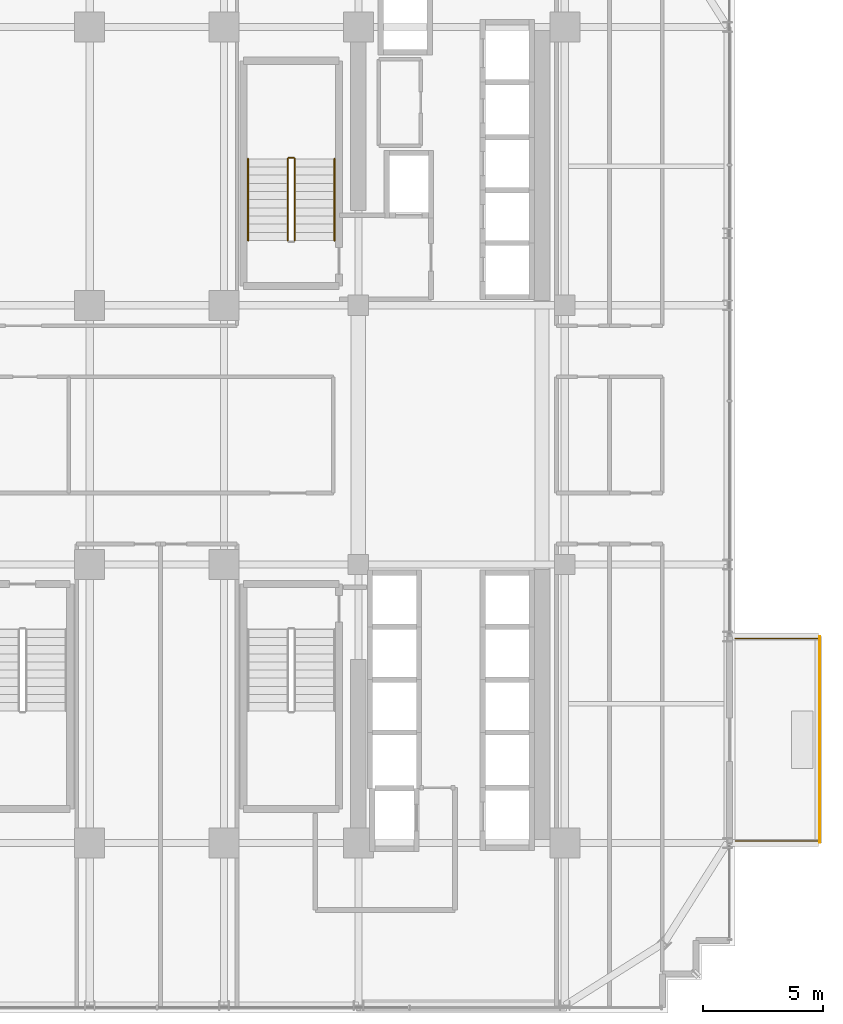
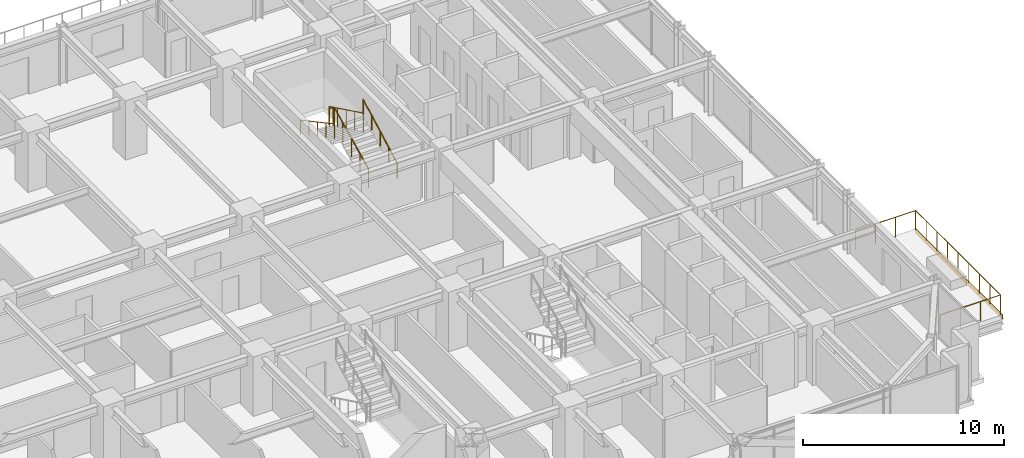
# One storey, part 39 of 41: 6 railings, 1 covering.
"""IFC4 building model written with IfcOpenShell, lengths in metres."""

import ifcopenshell
import ifcopenshell.guid

model = None  # the IFC model being written
_history = None  # IfcOwnerHistory: only IFC2X3 demands one
_inside = {}  # id of a spatial element -> (the spatial element, [elements in it])
_under = {}  # id of a project, library or spatial element -> (it, [spatial elements below it])
_declared = {}  # id of a project -> (the project, [libraries it declares])
_typed = {}  # id of a type object -> (the type object, [elements of that type])
_made_of = {}  # id of a material, layer set ... -> (it, [elements and type objects made of it])


def new_model(schema):
    """Start an empty IFC model of exactly this schema.

    Asked for "IFC4X3", IfcOpenShell would pick the latest addendum, in which some entities
    have other attributes; the version numbers below select the first issue.
    IFC2X3 requires an IfcOwnerHistory on every rooted entity: one is made here for all.
    """
    global model, _history
    if schema == "IFC4X3":
        model = ifcopenshell.file(schema_version=(4, 3, 0, 0))
    else:
        model = ifcopenshell.file(schema=schema)
    _inside.clear()
    _under.clear()
    _declared.clear()
    _typed.clear()
    _made_of.clear()
    _history = None
    if model.schema == "IFC2X3":
        org = make("IfcOrganization", Name="unknown")
        user = make(
            "IfcPersonAndOrganization",
            ThePerson=make("IfcPerson", FamilyName="unknown"),
            TheOrganization=org,
        )
        app = make(
            "IfcApplication",
            ApplicationDeveloper=org,
            Version="unknown",
            ApplicationFullName="unknown",
            ApplicationIdentifier="unknown",
        )
        _history = make(
            "IfcOwnerHistory",
            OwningUser=user,
            OwningApplication=app,
            ChangeAction="ADDED",
            CreationDate=0,
        )
    return model


def make(cls, **values):
    """One entity of the class cls with the attributes given. An attribute that is None is left unset."""
    return model.create_entity(
        cls, **{name: value for name, value in values.items() if value is not None}
    )


def rooted(cls, **values):
    """An entity with a GlobalId (a new one), such as an element, a storey or a relation."""
    return make(cls, GlobalId=ifcopenshell.guid.new(), OwnerHistory=_history, **values)


def si_unit(unit_type, name, prefix=None):
    """IfcSIUnit, for example si_unit("LENGTHUNIT", "METRE", prefix="MILLI")."""
    return make("IfcSIUnit", UnitType=unit_type, Prefix=prefix, Name=name)


def assignment(units):
    """IfcUnitAssignment: the units of a project."""
    return None if units is None else make("IfcUnitAssignment", Units=units)


def point(xyz):
    """IfcCartesianPoint."""
    return None if xyz is None else make("IfcCartesianPoint", Coordinates=xyz)


def direction(xyz):
    """IfcDirection."""
    return None if xyz is None else make("IfcDirection", DirectionRatios=xyz)


def frame(location, z_axis=None, x_axis=None):
    """IfcAxis2Placement3D, a coordinate frame: its origin and axes. An axis left out is left unset."""
    return make(
        "IfcAxis2Placement3D",
        Location=point(location),
        Axis=direction(z_axis),
        RefDirection=direction(x_axis),
    )


def frame_2d(location, x_axis=None):
    """IfcAxis2Placement2D, a coordinate frame in the plane: its origin and x axis."""
    return make(
        "IfcAxis2Placement2D", Location=point(location), RefDirection=direction(x_axis)
    )


def origin():
    """The frame at (0, 0, 0) with its axes left unset."""
    return frame((0.0, 0.0, 0.0))


def origin_2d():
    """The frame at (0, 0) in the plane with its x axis left unset."""
    return frame_2d((0.0, 0.0))


def place(relative_to, where):
    """IfcLocalPlacement: puts the frame where relative to a parent placement (None: the world)."""
    return make(
        "IfcLocalPlacement", PlacementRelTo=relative_to, RelativePlacement=where
    )


def context(
    kind, dimensions, precision=None, world=None, true_north=None, identifier=None
):
    """IfcGeometricRepresentationContext, for example the 3D "Model" context."""
    return make(
        "IfcGeometricRepresentationContext",
        ContextIdentifier=identifier,
        ContextType=kind,
        CoordinateSpaceDimension=dimensions,
        Precision=precision,
        WorldCoordinateSystem=world,
        TrueNorth=true_north,
    )


def subcontext(parent, identifier, kind, view, scale=None):
    """IfcGeometricRepresentationSubContext, for example "Body" below "Model"."""
    return make(
        "IfcGeometricRepresentationSubContext",
        ContextIdentifier=identifier,
        ContextType=kind,
        ParentContext=parent,
        TargetScale=scale,
        TargetView=view,
    )


def project(units=None, contexts=None):
    """IfcProject with its units and contexts."""
    return rooted(
        "IfcProject",
        Name="project",
        RepresentationContexts=contexts,
        UnitsInContext=assignment(units),
    )


def spatial(cls, under=None, at=None, **own):
    """A site, building, storey or space (cls), placed at a placement, below another one or the project."""
    s = rooted(cls, ObjectPlacement=at, **own)
    if under is not None:
        _under.setdefault(under.id(), (under, []))[1].append(s)
    return s


def profile(cls, at=None, kind="AREA", **sizes):
    """A parametric profile (cls). Its sizes go by their IFC names, for example OverallWidth=200.0."""
    return make(cls, ProfileType=kind, Position=at, **sizes)


def rectangle(**sizes):
    """IfcRectangleProfileDef."""
    return profile("IfcRectangleProfileDef", **sizes)


def circle(**sizes):
    """IfcCircleProfileDef."""
    return profile("IfcCircleProfileDef", **sizes)


def extrude(swept, where, along, depth):
    """IfcExtrudedAreaSolid: the profile swept, set in the frame where, extruded along a direction by depth."""
    return make(
        "IfcExtrudedAreaSolid",
        SweptArea=swept,
        Position=where,
        ExtrudedDirection=direction(along),
        Depth=depth,
    )


def shape(context_of_items, identifier, shape_type, items):
    """IfcShapeRepresentation: the items that make up one representation, for example the "Body"."""
    return make(
        "IfcShapeRepresentation",
        ContextOfItems=context_of_items,
        RepresentationIdentifier=identifier,
        RepresentationType=shape_type,
        Items=items,
    )


def source(mapping_origin, context_of_items, identifier, shape_type, items):
    """IfcRepresentationMap: a shape defined once, which mapped items show again and again."""
    return make(
        "IfcRepresentationMap",
        MappingOrigin=mapping_origin,
        MappedRepresentation=shape(context_of_items, identifier, shape_type, items),
    )


def transform(
    local_origin,
    x_axis=None,
    y_axis=None,
    z_axis=None,
    scale=None,
    scale2=None,
    scale3=None,
    uniform=True,
):
    """IfcCartesianTransformationOperator3D, or its non-uniform kind. x_axis, y_axis, z_axis: its Axis1, 2, 3."""
    if uniform:
        return make(
            "IfcCartesianTransformationOperator3D",
            Axis1=direction(x_axis),
            Axis2=direction(y_axis),
            LocalOrigin=point(local_origin),
            Scale=scale,
            Axis3=direction(z_axis),
        )
    return make(
        "IfcCartesianTransformationOperator3DnonUniform",
        Axis1=direction(x_axis),
        Axis2=direction(y_axis),
        LocalOrigin=point(local_origin),
        Scale=scale,
        Axis3=direction(z_axis),
        Scale2=scale2,
        Scale3=scale3,
    )


def mapped(mapping_source, mapping_target):
    """IfcMappedItem: shows the shape of a source again, moved by a transform."""
    return make(
        "IfcMappedItem", MappingSource=mapping_source, MappingTarget=mapping_target
    )


def material(Name=None, Category=None):
    """IfcMaterial."""
    return make("IfcMaterial", Name=Name, Category=Category)


def layer(
    of_material, thickness, ventilated=None, Name=None, Category=None, Priority=None
):
    """IfcMaterialLayer: one layer of a wall or slab, of a material (None: an air gap)."""
    return make(
        "IfcMaterialLayer",
        Material=of_material,
        LayerThickness=thickness,
        IsVentilated=ventilated,
        Name=Name,
        Category=Category,
        Priority=Priority,
    )


def layer_set(layers, Name=None):
    """IfcMaterialLayerSet."""
    return make("IfcMaterialLayerSet", MaterialLayers=layers, LayerSetName=Name)


def made_of(thing, what):
    """Note that an element or type object is made of a material, layer set ...; save() writes the relation."""
    if what is not None:
        _made_of.setdefault(what.id(), (what, []))[1].append(thing)
    return thing


def type_object(cls, material=None, **own):
    """A type object (cls), such as IfcWallType, which elements share."""
    return made_of(rooted(cls, **own), material)


def element(
    cls,
    number,
    at=None,
    inside=None,
    cuts=None,
    type_object=None,
    material=None,
    context=None,
    identifier="Body",
    shape_type=None,
    held_by="IfcProductDefinitionShape",
    body=None,
    shapes=None,
    **own,
):
    """One element of the class cls, such as IfcWall. Its Tag is "e" and its number.

    at: its placement. inside: the storey or other place that contains it. cuts: it is an
    opening in that element (IfcRelVoidsElement). A single representation is given by context,
    identifier, shape_type and body (its items); several are given by shapes. held_by: the class
    of the entity that holds the representations. save() writes the other relations.
    """
    e = rooted(cls, Tag="e%d" % number, ObjectPlacement=at, **own)
    if body is not None:
        shapes = [shape(context, identifier, shape_type, body)]
    if shapes is not None:
        e.Representation = make(held_by, Representations=shapes)
    if inside is not None:
        _inside.setdefault(inside.id(), (inside, []))[1].append(e)
    if cuts is not None:
        rooted(
            "IfcRelVoidsElement", RelatingBuildingElement=cuts, RelatedOpeningElement=e
        )
    if type_object is not None:
        _typed.setdefault(type_object.id(), (type_object, []))[1].append(e)
    return made_of(e, material)


def aggregate(whole, parts):
    """IfcRelAggregates: a whole, such as a stair, and the parts it consists of."""
    return rooted("IfcRelAggregates", RelatingObject=whole, RelatedObjects=parts)


def save(model, path):
    """Write the relations noted so far, then the file.

    IfcRelAggregates (storeys below a building ...), IfcRelContainedInSpatialStructure (elements
    in a storey), IfcRelDefinesByType, IfcRelAssociatesMaterial and IfcRelDeclares: one each for
    every whole, place, type object, material and project.
    """
    for whole, parts in _under.values():
        aggregate(whole, parts)
    for where, things in _inside.values():
        rooted(
            "IfcRelContainedInSpatialStructure",
            RelatedElements=things,
            RelatingStructure=where,
        )
    for kind, things in _typed.values():
        rooted("IfcRelDefinesByType", RelatedObjects=things, RelatingType=kind)
    for what, things in _made_of.values():
        rooted("IfcRelAssociatesMaterial", RelatedObjects=things, RelatingMaterial=what)
    for by, libraries in _declared.values():
        rooted("IfcRelDeclares", RelatingContext=by, RelatedDefinitions=libraries)
    model.write(path)


model = new_model("IFC4")

# Units and contexts
model_context = context("Model", 3, precision=1e-05, world=origin(), true_north=direction((0.0, 1.0)))
body_context = subcontext(model_context, "Body", "Model", "MODEL_VIEW")
ifc_project = project(units=[si_unit("LENGTHUNIT", "METRE"), si_unit("AREAUNIT", "SQUARE_METRE"), si_unit("VOLUMEUNIT", "CUBIC_METRE"), si_unit("PLANEANGLEUNIT", "RADIAN"), si_unit("MASSUNIT", "GRAM", prefix="KILO")], contexts=[model_context])

# Site, building, storey
site_placement = place(None, origin())
site = spatial("IfcSite", under=ifc_project, at=site_placement, CompositionType="ELEMENT")
building_placement = place(site_placement, origin())
building = spatial("IfcBuilding", under=site, at=building_placement, Name="Nahalor Promenade Grand Hotel", CompositionType="ELEMENT")
storey_placement = place(building_placement, frame((0.0, 0.0, 113.85009765625)))
storey = spatial("IfcBuildingStorey", under=building, at=storey_placement, Name="L28", CompositionType="ELEMENT", Elevation=113.85009765625)

# Railings
ifc_material_1 = material(Name="Anodised Bronze Aluminium EN AW-6063 T6", Category="aluminium")
railing_type_1 = type_object("IfcRailingType", Name="Bronze Balcony Guardrail 1200 mm", PredefinedType="GUARDRAIL", material=ifc_material_1)
railing_1_placement = place(storey_placement, frame((24.10009765625, -16.919921875, 0.0)))
element("IfcRailing", 1, at=railing_1_placement, inside=storey, type_object=railing_type_1, Name="L28 Balcony Guardrail 2", PredefinedType="GUARDRAIL", context=body_context, shape_type="SweptSolid", body=[
    extrude(circle(Radius=0.024048, at=origin_2d()), frame((0.0, 0.0, 1.17578125), z_axis=(1.0, 0.0, 0.0), x_axis=(0.0, 1.0, 0.0)), (0.0, 0.0, 1.0), 3.468017578125),
    extrude(circle(Radius=0.024048, at=origin_2d()), frame((3.469970703125, 0.001953125, 1.17578125), z_axis=(0.0, 1.0, 0.0), x_axis=(-1.0, 0.0, 0.0)), (0.0, 0.0, 1.0), 8.43603515625),
    extrude(circle(Radius=0.024048, at=origin_2d()), frame((3.468017578125, 8.43994140625, 1.17578125), z_axis=(-1.0, 0.0, 0.0), x_axis=(0.0, -1.0, 0.0)), (0.0, 0.0, 1.0), 3.468017578125),
    extrude(circle(Radius=0.020996, at=origin_2d()), origin(), (0.0, 0.0, 1.0), 1.14990234375),
    extrude(circle(Radius=0.020996, at=origin_2d()), frame((1.15673828125, 0.0, 0.0)), (0.0, 0.0, 1.0), 1.14990234375),
    extrude(circle(Radius=0.020996, at=origin_2d()), frame((2.313232421875, 0.0, 0.0)), (0.0, 0.0, 1.0), 1.14990234375),
    extrude(circle(Radius=0.020996, at=origin_2d()), frame((3.469970703125, 0.0, 0.0)), (0.0, 0.0, 1.0), 1.14990234375),
    extrude(circle(Radius=0.020996, at=origin_2d()), frame((3.469970703125, 1.054931640625, 0.0)), (0.0, 0.0, 1.0), 1.14990234375),
    extrude(circle(Radius=0.020996, at=origin_2d()), frame((3.469970703125, 2.10986328125, 0.0)), (0.0, 0.0, 1.0), 1.14990234375),
    extrude(circle(Radius=0.020996, at=origin_2d()), frame((3.469970703125, 3.1650390625, 0.0)), (0.0, 0.0, 1.0), 1.14990234375),
    extrude(circle(Radius=0.020996, at=origin_2d()), frame((3.469970703125, 4.219970703125, 0.0)), (0.0, 0.0, 1.0), 1.14990234375),
    extrude(circle(Radius=0.020996, at=origin_2d()), frame((3.469970703125, 5.27490234375, 0.0)), (0.0, 0.0, 1.0), 1.14990234375),
    extrude(circle(Radius=0.020996, at=origin_2d()), frame((3.469970703125, 6.330078125, 0.0)), (0.0, 0.0, 1.0), 1.14990234375),
    extrude(circle(Radius=0.020996, at=origin_2d()), frame((3.469970703125, 7.385009765625, 0.0)), (0.0, 0.0, 1.0), 1.14990234375),
    extrude(circle(Radius=0.020996, at=origin_2d()), frame((3.469970703125, 8.43994140625, 0.0)), (0.0, 0.0, 1.0), 1.14990234375),
    extrude(circle(Radius=0.020996, at=origin_2d()), frame((2.313232421875, 8.43994140625, 0.0)), (0.0, 0.0, 1.0), 1.14990234375),
    extrude(circle(Radius=0.020996, at=origin_2d()), frame((1.15673828125, 8.43994140625, 0.0)), (0.0, 0.0, 1.0), 1.14990234375),
    extrude(circle(Radius=0.020996, at=origin_2d()), frame((0.0, 8.43994140625, 0.0)), (0.0, 0.0, 1.0), 1.14990234375),
])
ifc_material_2 = material(Name="Steel S355JR", Category="steel")
railing_type_2 = type_object("IfcRailingType", Name="Steel Stair Guardrail 1150 mm", PredefinedType="GUARDRAIL", material=ifc_material_2)
railing_2_placement = place(storey_placement, frame((5.75, 8.10009765625, 0.165771484375)))
element("IfcRailing", 2, at=railing_2_placement, inside=storey, type_object=railing_type_2, Name="L28 ST1 stair guard 1", PredefinedType="GUARDRAIL", context=body_context, shape_type="SweptSolid", body=[
    extrude(circle(Radius=0.024048, at=origin_2d()), frame((0.0, 0.0, 1.1259765625), z_axis=(0.0, 0.898696488221, 0.438571114028), x_axis=(-1.0, 0.0, 0.0)), (0.0, 0.0, 1.0), 3.783203125),
    extrude(circle(Radius=0.020996, at=origin_2d()), origin(), (0.0, 0.0, 1.0), 1.099853515625),
    extrude(circle(Radius=0.020996, at=origin_2d()), frame((0.0, 0.85009765625, 0.414794921875)), (0.0, 0.0, 1.0), 1.099853515625),
    extrude(circle(Radius=0.020996, at=origin_2d()), frame((0.0, 1.699951171875, 0.82958984375)), (0.0, 0.0, 1.0), 1.099853515625),
    extrude(circle(Radius=0.020996, at=origin_2d()), frame((0.0, 2.5498046875, 1.244384765625)), (0.0, 0.0, 1.0), 1.099853515625),
    extrude(circle(Radius=0.020996, at=origin_2d()), frame((0.0, 3.39990234375, 1.6591796875)), (0.0, 0.0, 1.0), 1.099853515625),
])
railing_3_placement = place(storey_placement, frame((5.699951171875, 11.550048828125, 1.824951171875)))
element("IfcRailing", 3, at=railing_3_placement, inside=storey, type_object=railing_type_2, Name="L28 ST1 stair guard 2", PredefinedType="GUARDRAIL", context=body_context, shape_type="SweptSolid", body=[
    extrude(circle(Radius=0.024048, at=origin_2d()), frame((0.0, 0.0, 1.1259765625), z_axis=(-1.0, 0.0, 0.0), x_axis=(0.0, -1.0, 0.0)), (0.0, 0.0, 1.0), 0.199951171875),
    extrude(circle(Radius=0.020996, at=origin_2d()), origin(), (0.0, 0.0, 1.0), 1.099853515625),
    extrude(circle(Radius=0.020996, at=origin_2d()), frame((-0.199951171875, 0.0, 0.0)), (0.0, 0.0, 1.0), 1.099853515625),
])
railing_4_placement = place(storey_placement, frame((5.449951171875, 11.5, 1.99072265625)))
element("IfcRailing", 4, at=railing_4_placement, inside=storey, type_object=railing_type_2, Name="L28 ST1 stair guard 3", PredefinedType="GUARDRAIL", context=body_context, shape_type="SweptSolid", body=[
    extrude(circle(Radius=0.024048, at=origin_2d()), frame((0.0, 0.0, 1.1259765625), z_axis=(0.0, -0.898696488221, 0.438571114028), x_axis=(1.0, 0.0, 0.0)), (0.0, 0.0, 1.0), 3.783203125),
    extrude(circle(Radius=0.020996, at=origin_2d()), origin(), (0.0, 0.0, 1.0), 1.099853515625),
    extrude(circle(Radius=0.020996, at=origin_2d()), frame((0.0, -0.85009765625, 0.414794921875)), (0.0, 0.0, 1.0), 1.099853515625),
    extrude(circle(Radius=0.020996, at=origin_2d()), frame((0.0, -1.699951171875, 0.82958984375)), (0.0, 0.0, 1.0), 1.099853515625),
    extrude(circle(Radius=0.020996, at=origin_2d()), frame((0.0, -2.5498046875, 1.244384765625)), (0.0, 0.0, 1.0), 1.099853515625),
    extrude(circle(Radius=0.020996, at=origin_2d()), frame((0.0, -3.39990234375, 1.6591796875)), (0.0, 0.0, 1.0), 1.099853515625),
])
railing_type_3 = type_object("IfcRailingType", Name="Steel Stair Handrail 900 mm", PredefinedType="HANDRAIL", material=ifc_material_2)
railing_5_placement = place(storey_placement, frame((7.39990234375, 8.10009765625, 0.165771484375)))
element("IfcRailing", 5, at=railing_5_placement, inside=storey, type_object=railing_type_3, Name="L28 ST1 stair handrail 1", PredefinedType="HANDRAIL", context=body_context, shape_type="SweptSolid", body=[
    extrude(circle(Radius=0.024048, at=origin_2d()), frame((0.0, 0.0, 0.8759765625), z_axis=(0.0, 0.881094038095, 0.47294111265), x_axis=(-1.0, 0.0, 0.0)), (0.0, 0.0, 1.0), 3.858642578125),
    extrude(circle(Radius=0.020996, at=origin_2d()), origin(), (0.0, 0.0, 1.0), 0.849853515625),
    extrude(circle(Radius=0.020996, at=origin_2d()), frame((0.0, 0.85009765625, 0.456298828125)), (0.0, 0.0, 1.0), 0.849853515625),
    extrude(circle(Radius=0.020996, at=origin_2d()), frame((0.0, 1.699951171875, 0.91259765625)), (0.0, 0.0, 1.0), 0.849853515625),
    extrude(circle(Radius=0.020996, at=origin_2d()), frame((0.0, 2.5498046875, 1.36865234375)), (0.0, 0.0, 1.0), 0.849853515625),
    extrude(circle(Radius=0.020996, at=origin_2d()), frame((0.0, 3.39990234375, 1.824951171875)), (0.0, 0.0, 1.0), 0.849853515625),
])
railing_6_placement = place(storey_placement, frame((3.800048828125, 11.5, 1.99072265625)))
element("IfcRailing", 6, at=railing_6_placement, inside=storey, type_object=railing_type_3, Name="L28 ST1 stair handrail 2", PredefinedType="HANDRAIL", context=body_context, shape_type="SweptSolid", body=[
    extrude(circle(Radius=0.024048, at=origin_2d()), frame((0.0, 0.0, 0.8759765625), z_axis=(0.0, -0.881067672671, 0.472990228413), x_axis=(1.0, 0.0, 0.0)), (0.0, 0.0, 1.0), 3.85888671875),
    extrude(circle(Radius=0.020996, at=origin_2d()), origin(), (0.0, 0.0, 1.0), 0.849853515625),
    extrude(circle(Radius=0.020996, at=origin_2d()), frame((0.0, -0.85009765625, 0.456298828125)), (0.0, 0.0, 1.0), 0.849853515625),
    extrude(circle(Radius=0.020996, at=origin_2d()), frame((0.0, -1.699951171875, 0.91259765625)), (0.0, 0.0, 1.0), 0.849853515625),
    extrude(circle(Radius=0.020996, at=origin_2d()), frame((0.0, -2.5498046875, 1.368896484375)), (0.0, 0.0, 1.0), 0.849853515625),
    extrude(circle(Radius=0.020996, at=origin_2d()), frame((0.0, -3.39990234375, 1.8251953125)), (0.0, 0.0, 1.0), 0.849853515625),
])

# Covering
ifc_layer = layer(ifc_material_1, 0.0400390625)
ifc_layer_set = layer_set([ifc_layer], Name="Anodised Bronze Aluminium EN AW-6063 T6")
covering_type = type_object("IfcCoveringType", Name="Bronze Spandrel Cladding Panel", PredefinedType="CLADDING", material=ifc_layer_set)
shared_shape = source(origin(), body_context, "Body", "SweptSolid", [
    extrude(rectangle(XDim=8.60009765625, YDim=0.0400390625, at=origin_2d()), origin(), (0.0, 0.0, 1.0), 0.280029296875),
])
covering_placement = place(storey_placement, frame((27.6298828125, -12.699951171875, -0.2802734375), z_axis=(0.0, 0.0, 1.0), x_axis=(0.0, 1.0, 0.0)))
element("IfcCovering", 7, at=covering_placement, inside=storey, type_object=covering_type, Name="CL-L28-BALC-02", PredefinedType="CLADDING", context=body_context, shape_type="MappedRepresentation", body=[
    mapped(shared_shape, transform((0.0, 0.0, 0.0), scale=1.0)),
])

save(model, "model.ifc")
